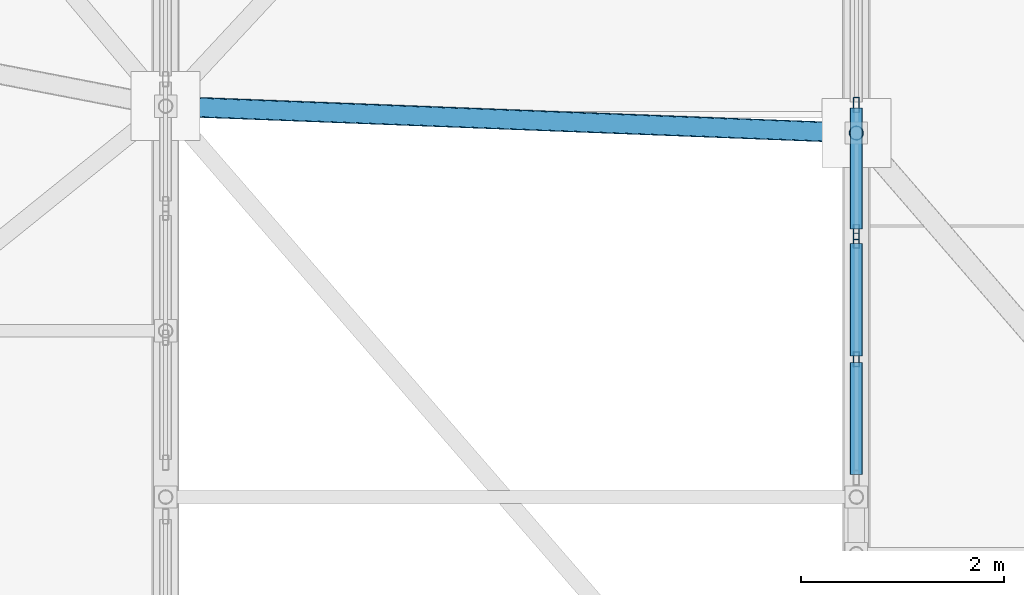
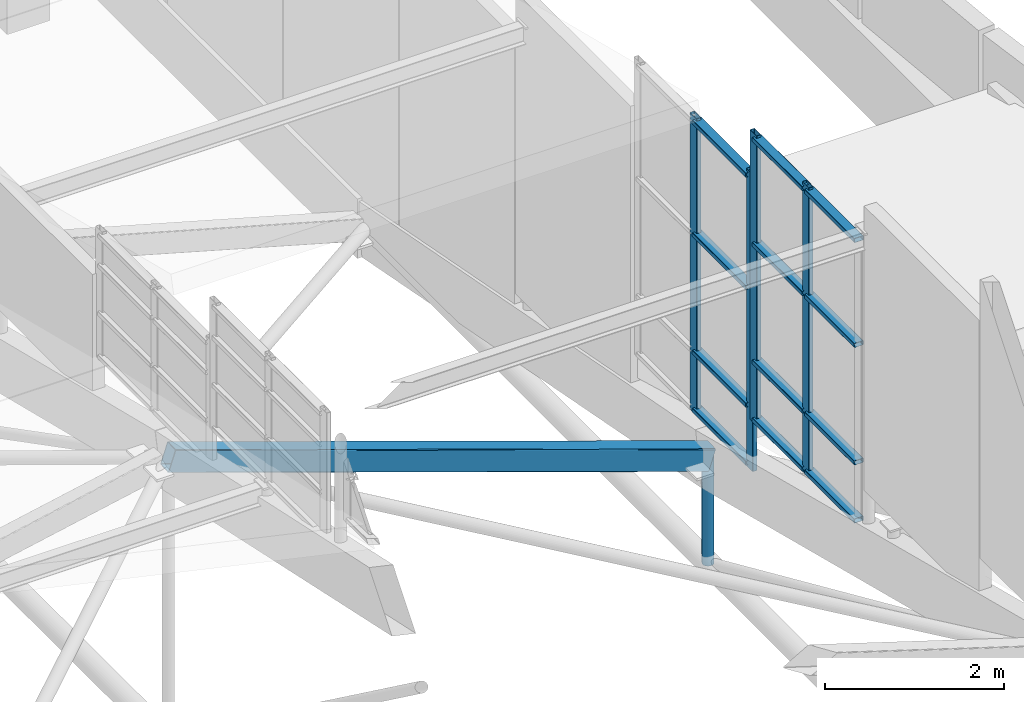
# One storey, part 54 of 188: 18 members, 2 elements without a shape of their own.
"""IFC4 building model written with IfcOpenShell, lengths in metres."""

from ifc_helpers import new_model, si_unit, direction, frame, origin, origin_2d, place, context, subcontext, project, spatial, hollow_rectangle, hollow_circle, extrude, material, layer, layer_set, material_profile, profile_set, type_object, element, aggregate, save


model = new_model("IFC4")

# Units and contexts
model_context = context("Model", 3, precision=1e-05, world=origin(), true_north=direction((0.0, 1.0)))
body_context = subcontext(model_context, "Body", "Model", "MODEL_VIEW")
ifc_project = project(units=[si_unit("LENGTHUNIT", "METRE"), si_unit("AREAUNIT", "SQUARE_METRE"), si_unit("VOLUMEUNIT", "CUBIC_METRE"), si_unit("PLANEANGLEUNIT", "RADIAN"), si_unit("MASSUNIT", "GRAM", prefix="KILO")], contexts=[model_context])

# Site, building, storey
site_placement = place(None, origin())
site = spatial("IfcSite", under=ifc_project, at=site_placement, CompositionType="ELEMENT")
building_placement = place(site_placement, origin())
building = spatial("IfcBuilding", under=site, at=building_placement, Name="Kisaragi Civic Commons", CompositionType="ELEMENT")
storey_placement = place(building_placement, frame((0.0, 0.0, 9.60009765625)))
storey = spatial("IfcBuildingStorey", under=building, at=storey_placement, Name="L02", CompositionType="ELEMENT", Elevation=9.60009765625)

# Curtain wall, members
ifc_material_1 = material(Name="Thermally broken anodized aluminium and low-E double glazing", Category="aluminium")
ifc_layer = layer(ifc_material_1, 0.14990234375, Name="Thermally broken anodized aluminium and low-E double glazing", Category="aluminium")
ifc_layer_set = layer_set([ifc_layer], Name="Thermally broken anodized aluminium and low-E double glazing")
curtain_wall_type = type_object("IfcCurtainWallType", Name="CW-03", PredefinedType="NOTDEFINED", material=ifc_layer_set)
curtain_wall_1_placement = place(storey_placement, origin())
curtain_wall_1 = element("IfcCurtainWall", 1, at=curtain_wall_1_placement, inside=storey, type_object=curtain_wall_type, Name="L02 curtain wall CW-03 CW-CL-V1-162", PredefinedType="NOTDEFINED")
ifc_material_profile_1 = material_profile(ifc_material_1, hollow_rectangle(XDim=0.06005859375, YDim=0.14990234375, WallThickness=0.00390625, InnerFilletRadius=0.00390625, OuterFilletRadius=0.008056640625, at=origin_2d()), Name="CWM-60x150x4", Category="aluminium")
ifc_profile_set_1 = profile_set([ifc_material_profile_1], Name="Thermally broken anodized aluminium and low-E double glazing")
member_type_1 = type_object("IfcMemberType", Name="CWM-01", PredefinedType="MULLION", material=ifc_profile_set_1)
member_1_placement = place(storey_placement, frame((20.39990234375, 45.018310546875, 2.065185546875), z_axis=(0.0, 0.0, 1.0), x_axis=(-1.0, 0.0, 0.0)))
member_1 = element("IfcMember", 2, at=member_1_placement, type_object=member_type_1, Name="CW-03 mullion 2", PredefinedType="MULLION", context=body_context, shape_type="SweptSolid", body=[
    extrude(hollow_rectangle(XDim=0.06005859375, YDim=0.14990234375, WallThickness=0.00390625, InnerFilletRadius=0.00390625, OuterFilletRadius=0.008056640625, at=origin_2d()), origin(), (0.0, 0.0, 1.0), 3.939208984375),
])
member_2_placement = place(storey_placement, frame((20.39990234375, 46.185302734375, 2.065185546875), z_axis=(0.0, 0.0, 1.0), x_axis=(-1.0, 0.0, 0.0)))
member_2 = element("IfcMember", 3, at=member_2_placement, type_object=member_type_1, Name="CW-03 mullion 3", PredefinedType="MULLION", context=body_context, shape_type="SweptSolid", body=[
    extrude(hollow_rectangle(XDim=0.06005859375, YDim=0.14990234375, WallThickness=0.00390625, InnerFilletRadius=0.00390625, OuterFilletRadius=0.008056640625, at=origin_2d()), origin(), (0.0, 0.0, 1.0), 3.939208984375),
])

curtain_wall_2_placement = place(storey_placement, origin())
curtain_wall_2 = element("IfcCurtainWall", 4, at=curtain_wall_2_placement, inside=storey, type_object=curtain_wall_type, Name="L02 curtain wall CW-03 CW-CL-V1-163", PredefinedType="NOTDEFINED")
member_3_placement = place(storey_placement, frame((20.39990234375, 46.269287109375, 1.3857421875), z_axis=(0.0, 0.0, 1.0), x_axis=(-1.0, 0.0, 0.0)))
member_3 = element("IfcMember", 5, at=member_3_placement, type_object=member_type_1, Name="CW-03 mullion 1", PredefinedType="MULLION", context=body_context, shape_type="SweptSolid", body=[
    extrude(hollow_rectangle(XDim=0.06005859375, YDim=0.14990234375, WallThickness=0.00390625, InnerFilletRadius=0.00390625, OuterFilletRadius=0.008056640625, at=origin_2d()), origin(), (0.0, 0.0, 1.0), 4.0419921875),
])
member_4_placement = place(storey_placement, frame((20.39990234375, 47.5224609375, 1.3857421875), z_axis=(0.0, 0.0, 1.0), x_axis=(-1.0, 0.0, 0.0)))
member_4 = element("IfcMember", 6, at=member_4_placement, type_object=member_type_1, Name="CW-03 mullion 2", PredefinedType="MULLION", context=body_context, shape_type="SweptSolid", body=[
    extrude(hollow_rectangle(XDim=0.06005859375, YDim=0.14990234375, WallThickness=0.00390625, InnerFilletRadius=0.00390625, OuterFilletRadius=0.008056640625, at=origin_2d()), origin(), (0.0, 0.0, 1.0), 4.0419921875),
])

# Member
ifc_material_profile_2 = material_profile(ifc_material_1, hollow_rectangle(XDim=0.1201171875, YDim=0.06005859375, WallThickness=0.00390625, InnerFilletRadius=0.00390625, OuterFilletRadius=0.008056640625, at=origin_2d()), Name="CWT-60x120x4", Category="aluminium")
ifc_profile_set_2 = profile_set([ifc_material_profile_2], Name="Thermally broken anodized aluminium and low-E double glazing")
member_type_2 = type_object("IfcMemberType", Name="CWT-01", PredefinedType="USERDEFINED", material=ifc_profile_set_2)
member_5_placement = place(storey_placement, frame((20.39990234375, 43.881591796875, 2.125), z_axis=(0.0, 1.0, 0.0), x_axis=(-1.0, 0.0, 0.0)))
member_5 = element("IfcMember", 7, at=member_5_placement, type_object=member_type_2, Name="CW-03 transom 1.1", ObjectType="TRANSOM", PredefinedType="USERDEFINED", context=body_context, shape_type="SweptSolid", body=[
    extrude(hollow_rectangle(XDim=0.1201171875, YDim=0.06005859375, WallThickness=0.00390625, InnerFilletRadius=0.00390625, OuterFilletRadius=0.008056640625, at=origin_2d()), origin(), (0.0, 0.0, 1.0), 1.106689453125),
])

member_6_placement = place(storey_placement, frame((20.39990234375, 43.881591796875, 2.9150390625), z_axis=(0.0, 1.0, 0.0), x_axis=(-1.0, 0.0, 0.0)))
member_6 = element("IfcMember", 8, at=member_6_placement, type_object=member_type_2, Name="CW-03 transom 1.2", ObjectType="TRANSOM", PredefinedType="USERDEFINED", context=body_context, shape_type="SweptSolid", body=[
    extrude(hollow_rectangle(XDim=0.1201171875, YDim=0.06005859375, WallThickness=0.00390625, InnerFilletRadius=0.00390625, OuterFilletRadius=0.008056640625, at=origin_2d()), origin(), (0.0, 0.0, 1.0), 1.106689453125),
])

member_7_placement = place(storey_placement, frame((20.39990234375, 43.881591796875, 4.51513671875), z_axis=(0.0, 1.0, 0.0), x_axis=(-1.0, 0.0, 0.0)))
member_7 = element("IfcMember", 9, at=member_7_placement, type_object=member_type_2, Name="CW-03 transom 1.3", ObjectType="TRANSOM", PredefinedType="USERDEFINED", context=body_context, shape_type="SweptSolid", body=[
    extrude(hollow_rectangle(XDim=0.1201171875, YDim=0.06005859375, WallThickness=0.00390625, InnerFilletRadius=0.00390625, OuterFilletRadius=0.008056640625, at=origin_2d()), origin(), (0.0, 0.0, 1.0), 1.106689453125),
])

member_8_placement = place(storey_placement, frame((20.39990234375, 43.881591796875, 5.9443359375), z_axis=(0.0, 1.0, 0.0), x_axis=(-1.0, 0.0, 0.0)))
member_8 = element("IfcMember", 10, at=member_8_placement, type_object=member_type_2, Name="CW-03 transom 1.4", ObjectType="TRANSOM", PredefinedType="USERDEFINED", context=body_context, shape_type="SweptSolid", body=[
    extrude(hollow_rectangle(XDim=0.1201171875, YDim=0.06005859375, WallThickness=0.00390625, InnerFilletRadius=0.00390625, OuterFilletRadius=0.008056640625, at=origin_2d()), origin(), (0.0, 0.0, 1.0), 1.106689453125),
])

member_9_placement = place(storey_placement, frame((20.39990234375, 45.04833984375, 2.125), z_axis=(0.0, 1.0, 0.0), x_axis=(-1.0, 0.0, 0.0)))
member_9 = element("IfcMember", 11, at=member_9_placement, type_object=member_type_2, Name="CW-03 transom 2.1", ObjectType="TRANSOM", PredefinedType="USERDEFINED", context=body_context, shape_type="SweptSolid", body=[
    extrude(hollow_rectangle(XDim=0.1201171875, YDim=0.06005859375, WallThickness=0.00390625, InnerFilletRadius=0.00390625, OuterFilletRadius=0.008056640625, at=origin_2d()), origin(), (0.0, 0.0, 1.0), 1.10693359375),
])

member_10_placement = place(storey_placement, frame((20.39990234375, 45.04833984375, 2.9150390625), z_axis=(0.0, 1.0, 0.0), x_axis=(-1.0, 0.0, 0.0)))
member_10 = element("IfcMember", 12, at=member_10_placement, type_object=member_type_2, Name="CW-03 transom 2.2", ObjectType="TRANSOM", PredefinedType="USERDEFINED", context=body_context, shape_type="SweptSolid", body=[
    extrude(hollow_rectangle(XDim=0.1201171875, YDim=0.06005859375, WallThickness=0.00390625, InnerFilletRadius=0.00390625, OuterFilletRadius=0.008056640625, at=origin_2d()), origin(), (0.0, 0.0, 1.0), 1.10693359375),
])

member_11_placement = place(storey_placement, frame((20.39990234375, 45.04833984375, 4.51513671875), z_axis=(0.0, 1.0, 0.0), x_axis=(-1.0, 0.0, 0.0)))
member_11 = element("IfcMember", 13, at=member_11_placement, type_object=member_type_2, Name="CW-03 transom 2.3", ObjectType="TRANSOM", PredefinedType="USERDEFINED", context=body_context, shape_type="SweptSolid", body=[
    extrude(hollow_rectangle(XDim=0.1201171875, YDim=0.06005859375, WallThickness=0.00390625, InnerFilletRadius=0.00390625, OuterFilletRadius=0.008056640625, at=origin_2d()), origin(), (0.0, 0.0, 1.0), 1.10693359375),
])

member_12_placement = place(storey_placement, frame((20.39990234375, 45.04833984375, 5.9443359375), z_axis=(0.0, 1.0, 0.0), x_axis=(-1.0, 0.0, 0.0)))
member_12 = element("IfcMember", 14, at=member_12_placement, type_object=member_type_2, Name="CW-03 transom 2.4", ObjectType="TRANSOM", PredefinedType="USERDEFINED", context=body_context, shape_type="SweptSolid", body=[
    extrude(hollow_rectangle(XDim=0.1201171875, YDim=0.06005859375, WallThickness=0.00390625, InnerFilletRadius=0.00390625, OuterFilletRadius=0.008056640625, at=origin_2d()), origin(), (0.0, 0.0, 1.0), 1.10693359375),
])

aggregate(curtain_wall_1, [member_1, member_2, member_5, member_6, member_7, member_8, member_9, member_10, member_11, member_12])

member_13_placement = place(storey_placement, frame((20.39990234375, 46.29931640625, 1.44580078125), z_axis=(0.0, 1.0, 0.0), x_axis=(-1.0, 0.0, 0.0)))
member_13 = element("IfcMember", 15, at=member_13_placement, type_object=member_type_2, Name="CW-03 transom 1.1", ObjectType="TRANSOM", PredefinedType="USERDEFINED", context=body_context, shape_type="SweptSolid", body=[
    extrude(hollow_rectangle(XDim=0.1201171875, YDim=0.06005859375, WallThickness=0.00390625, InnerFilletRadius=0.00390625, OuterFilletRadius=0.008056640625, at=origin_2d()), origin(), (0.0, 0.0, 1.0), 1.193115234375),
])

member_14_placement = place(storey_placement, frame((20.39990234375, 46.29931640625, 2.23583984375), z_axis=(0.0, 1.0, 0.0), x_axis=(-1.0, 0.0, 0.0)))
member_14 = element("IfcMember", 16, at=member_14_placement, type_object=member_type_2, Name="CW-03 transom 1.2", ObjectType="TRANSOM", PredefinedType="USERDEFINED", context=body_context, shape_type="SweptSolid", body=[
    extrude(hollow_rectangle(XDim=0.1201171875, YDim=0.06005859375, WallThickness=0.00390625, InnerFilletRadius=0.00390625, OuterFilletRadius=0.008056640625, at=origin_2d()), origin(), (0.0, 0.0, 1.0), 1.193115234375),
])

member_15_placement = place(storey_placement, frame((20.39990234375, 46.29931640625, 3.835693359375), z_axis=(0.0, 1.0, 0.0), x_axis=(-1.0, 0.0, 0.0)))
member_15 = element("IfcMember", 17, at=member_15_placement, type_object=member_type_2, Name="CW-03 transom 1.3", ObjectType="TRANSOM", PredefinedType="USERDEFINED", context=body_context, shape_type="SweptSolid", body=[
    extrude(hollow_rectangle(XDim=0.1201171875, YDim=0.06005859375, WallThickness=0.00390625, InnerFilletRadius=0.00390625, OuterFilletRadius=0.008056640625, at=origin_2d()), origin(), (0.0, 0.0, 1.0), 1.193115234375),
])

member_16_placement = place(storey_placement, frame((20.39990234375, 46.29931640625, 5.367919921875), z_axis=(0.0, 1.0, 0.0), x_axis=(-1.0, 0.0, 0.0)))
member_16 = element("IfcMember", 18, at=member_16_placement, type_object=member_type_2, Name="CW-03 transom 1.4", ObjectType="TRANSOM", PredefinedType="USERDEFINED", context=body_context, shape_type="SweptSolid", body=[
    extrude(hollow_rectangle(XDim=0.1201171875, YDim=0.06005859375, WallThickness=0.00390625, InnerFilletRadius=0.00390625, OuterFilletRadius=0.008056640625, at=origin_2d()), origin(), (0.0, 0.0, 1.0), 1.193115234375),
])

aggregate(curtain_wall_2, [member_3, member_4, member_13, member_14, member_15, member_16])

# Members
ifc_material_2 = material(Name="Steel SN490 (SN490B)", Category="steel")
ifc_material_profile_3 = material_profile(ifc_material_2, hollow_rectangle(XDim=0.199951171875, YDim=0.300048828125, WallThickness=0.009033203125, InnerFilletRadius=0.009033203125, OuterFilletRadius=0.01806640625, at=origin_2d()), Name="STKR-300x200x9", Category="steel")
ifc_profile_set_3 = profile_set([ifc_material_profile_3], Name="Steel SN490 (SN490B)")
member_type_3 = type_object("IfcMemberType", Name="GC-02", PredefinedType="CHORD", material=ifc_profile_set_3)
member_17_placement = place(storey_placement, frame((13.60009765625, 47.51025390625, 3.15869140625), z_axis=(0.950510000013, -0.037062109005, -0.308475509483), x_axis=(0.038962206802, 0.999240684941, 0.0)))
element("IfcMember", 19, at=member_17_placement, inside=storey, type_object=member_type_3, Name="V1 wave gridshell chord GC-02 20", PredefinedType="CHORD", context=body_context, shape_type="SweptSolid", body=[
    extrude(hollow_rectangle(XDim=0.199951171875, YDim=0.300048828125, WallThickness=0.009033203125, InnerFilletRadius=0.009033203125, OuterFilletRadius=0.01806640625, at=origin_2d()), origin(), (0.0, 0.0, 1.0), 7.15380859375),
])
ifc_material_profile_4 = material_profile(ifc_material_2, hollow_circle(Radius=0.06982421875, WallThickness=0.006103515625, at=origin_2d()), Name="CHS-139.8x6.0", Category="steel")
ifc_profile_set_4 = profile_set([ifc_material_profile_4], Name="Steel SN490 (SN490B)")
member_type_4 = type_object("IfcMemberType", Name="ST-H1", PredefinedType="STRUT", material=ifc_profile_set_4)
member_18_placement = place(storey_placement, frame((20.39990234375, 47.2451171875, -0.49951171875), z_axis=(0.0, 0.0, 1.0), x_axis=(1.0, 0.0, 0.0)))
element("IfcMember", 20, at=member_18_placement, inside=storey, type_object=member_type_4, Name="V1 arch tie hanger strut 49", PredefinedType="STRUT", context=body_context, shape_type="SweptSolid", body=[
    extrude(hollow_circle(Radius=0.06982421875, WallThickness=0.006103515625, at=origin_2d()), origin(), (0.0, 0.0, 1.0), 1.451416015625),
])

save(model, "model.ifc")
